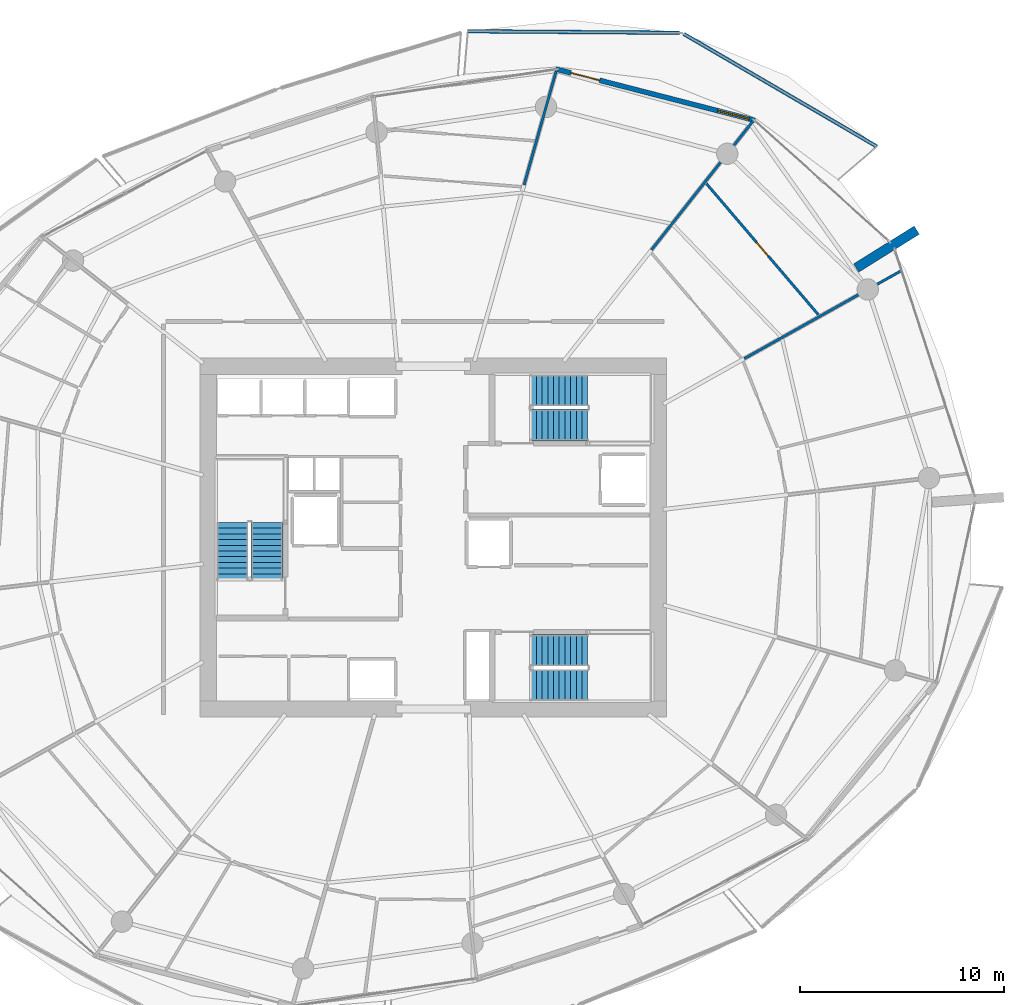
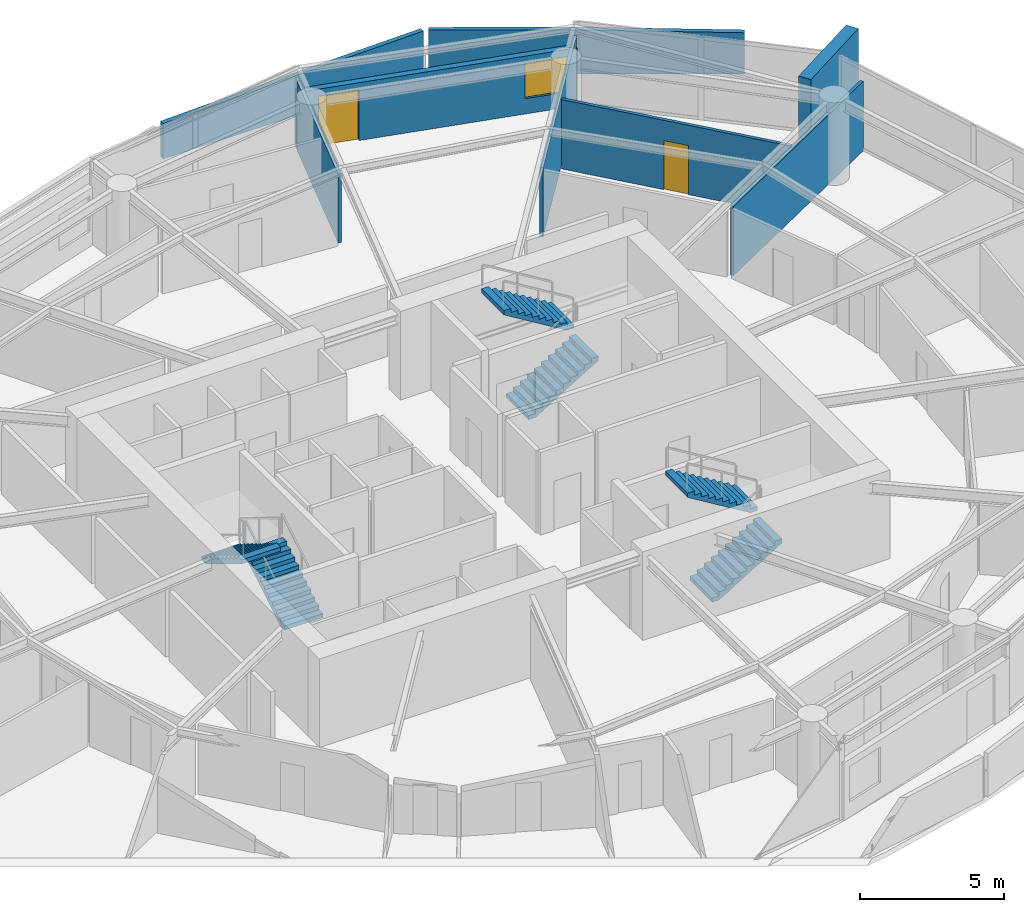
# One storey, part 15 of 20: 8 walls, 6 stair flights, 2 doors, 1 window, 3 openings, 3 elements without a shape of their own.
"""IFC4 building model written with IfcOpenShell, lengths in metres."""

from ifc_helpers import new_model, si_unit, direction, frame, frame_2d, origin, place, context, subcontext, project, spatial, polyline, rectangle, outline, extrude, material, layer, layer_set, type_object, element, fill, aggregate, save


model = new_model("IFC4")

# Units and contexts
model_context = context("Model", 3, precision=1e-05, world=origin(), true_north=direction((0.0, 1.0)))
body_context = subcontext(model_context, "Body", "Model", "MODEL_VIEW")
ifc_project = project(units=[si_unit("LENGTHUNIT", "METRE"), si_unit("AREAUNIT", "SQUARE_METRE"), si_unit("VOLUMEUNIT", "CUBIC_METRE"), si_unit("PLANEANGLEUNIT", "RADIAN"), si_unit("MASSUNIT", "GRAM", prefix="KILO")], contexts=[model_context])

# Site, building, storey
site_placement = place(None, origin())
site = spatial("IfcSite", under=ifc_project, at=site_placement, CompositionType="ELEMENT")
building_placement = place(site_placement, origin())
building = spatial("IfcBuilding", under=site, at=building_placement, Name="Kazma Halo Residences", CompositionType="ELEMENT")
storey_placement = place(building_placement, frame((0.0, 0.0, 165.300048828125)))
storey = spatial("IfcBuildingStorey", under=building, at=storey_placement, Name="L41", CompositionType="ELEMENT", Elevation=165.300048828125)

# Walls
ifc_material_1 = material(Name="White Concrete C50/60 Balustrade", Category="concrete")
ifc_layer_1 = layer(ifc_material_1, 0.179931640625)
ifc_layer_set_1 = layer_set([ifc_layer_1], Name="White Concrete C50/60 Balustrade")
wall_type_1 = type_object("IfcWallType", Name="WL-BAL-WAVE-180", PredefinedType="PARAPET", material=ifc_layer_set_1)
wall_1_placement = place(storey_placement, frame((70.179931640625, 61.17919921875, 0.0), z_axis=(0.0, 0.0, 1.0), x_axis=(-0.863978518166, 0.503528668645, 0.0)))
element("IfcWall", 1, at=wall_1_placement, inside=storey, type_object=wall_type_1, Name="L41 white wave balustrade wall NE.1", PredefinedType="PARAPET", context=body_context, shape_type="SweptSolid", body=[
    extrude(outline(polyline([(0.0, 0.0), (10.952880859375, 0.0), (10.952880859375, 1.83203125), (5.4765625, 1.85302734375), (0.0, 1.755859375), (0.0, 0.0)])), frame((0.0, 0.08984375, 0.0), z_axis=(0.0, -1.0, 0.0), x_axis=(1.0, 0.0, 0.0)), (0.0, 0.0, 1.0), 0.179931640625),
])
wall_2_placement = place(storey_placement, frame((60.4931640625, 66.755615234375, 0.0), z_axis=(0.0, 0.0, 1.0), x_axis=(-0.999973451482, 0.007286723002, 0.0)))
element("IfcWall", 2, at=wall_2_placement, inside=storey, type_object=wall_type_1, Name="L41 white wave balustrade wall NE.2", PredefinedType="PARAPET", context=body_context, shape_type="SweptSolid", body=[
    extrude(outline(polyline([(0.0, 0.0), (10.386474609375, 0.0), (10.386474609375, 1.4970703125), (5.193115234375, 1.696044921875), (0.0, 1.83203125), (0.0, 0.0)])), frame((0.0, 0.08984375, 0.0), z_axis=(0.0, -1.0, 0.0), x_axis=(1.0, 0.0, 0.0)), (0.0, 0.0, 1.0), 0.179931640625),
])
ifc_material_2 = material(Name="Pale Concrete C60/75", Category="concrete")
ifc_layer_2 = layer(ifc_material_2, 0.47998046875)
ifc_layer_set_2 = layer_set([ifc_layer_2], Name="Pale Concrete C60/75")
wall_type_2 = type_object("IfcWallType", Name="WL-BLADE-480", PredefinedType="SOLIDWALL", material=ifc_layer_set_2)
wall_3_placement = place(storey_placement, frame((69.165283203125, 55.2255859375, 0.0), z_axis=(0.0, 0.0, 1.0), x_axis=(0.848053161125, 0.529911158502, 0.0)))
element("IfcWall", 3, at=wall_3_placement, inside=storey, type_object=wall_type_2, Name="L41 pale concrete structural blade fin wall BW-01", PredefinedType="SOLIDWALL", context=body_context, shape_type="SweptSolid", body=[
    extrude(rectangle(XDim=3.5, YDim=0.47998046875, at=frame_2d((1.75, 0.0))), origin(), (0.0, 0.0, 1.0), 3.75),
])

# Wall, openings, door, window
ifc_material_3 = material(Name="Insulated Pale-Metal Composite Wall")
ifc_layer_3 = layer(ifc_material_3, 0.239990234375)
ifc_layer_set_3 = layer_set([ifc_layer_3], Name="Insulated Pale-Metal Composite Wall")
wall_type_3 = type_object("IfcWallType", Name="WL-EXT-HOST-240", PredefinedType="SOLIDWALL", material=ifc_layer_set_3)
wall_4_placement = place(storey_placement, frame((64.192138671875, 62.4658203125, 0.0), z_axis=(0.0, 0.0, 1.0), x_axis=(-0.968379685126, 0.249481032214, 0.0)))
wall_4 = element("IfcWall", 4, at=wall_4_placement, inside=storey, type_object=wall_type_3, Name="L41 exterior terrace-access wall B02", PredefinedType="SOLIDWALL", context=body_context, shape_type="SweptSolid", body=[
    extrude(rectangle(XDim=10.08154296875, YDim=0.239990234375, at=frame_2d((5.040771484375, 0.0))), origin(), (0.0, 0.0, 1.0), 2.449951171875),
])
opening_1_placement = place(wall_4_placement, frame((7.861572265625, 0.0, 0.0)))
opening_1 = element("IfcOpeningElement", 5, at=opening_1_placement, cuts=wall_4, Name="Opening DTR-1600", PredefinedType="OPENING", context=body_context, shape_type="SweptSolid", body=[
    extrude(rectangle(XDim=1.449951171875, YDim=2.14990234375, at=frame_2d((0.72509765625, 1.074951171875))), frame((0.0, 0.1298828125, 0.0), z_axis=(0.0, -1.0, 0.0), x_axis=(1.0, 0.0, 0.0)), (0.0, 0.0, 1.0), 0.260009765625),
])
opening_2_placement = place(wall_4_placement, frame((0.280029296875, 0.0, 0.64990234375)))
opening_2 = element("IfcOpeningElement", 6, at=opening_2_placement, cuts=wall_4, Name="Opening W-1800", PredefinedType="OPENING", context=body_context, shape_type="SweptSolid", body=[
    extrude(rectangle(XDim=1.60009765625, YDim=1.5, at=frame_2d((0.800048828125, 0.75))), frame((0.0, 0.1298828125, 0.0), z_axis=(0.0, -1.0, 0.0), x_axis=(1.0, 0.0, 0.0)), (0.0, 0.0, 1.0), 0.260009765625),
])
ifc_material_4 = material(Name="Aluminium AW-6063 T6 Double-Glazed Terrace Door", Category="aluminium")
door_type_1 = type_object("IfcDoorType", Name="DR-EXT-TERR-1600", OperationType="NOTDEFINED", PredefinedType="DOOR", material=ifc_material_4)
door_1_placement = place(opening_1_placement, origin())
door_1 = element("IfcDoor", 7, at=door_1_placement, inside=storey, type_object=door_type_1, Name="L41 B02 balcony terrace door", OperationType="DOUBLE_DOOR_SLIDING", OverallHeight=2.14990234375, OverallWidth=1.449951171875, PredefinedType="DOOR", context=body_context, shape_type="SweptSolid", body=[
    extrude(rectangle(XDim=1.449951171875, YDim=2.14990234375, at=frame_2d((0.72509765625, 1.074951171875))), frame((0.0, 0.02490234375, 0.0), z_axis=(0.0, -1.0, 0.0), x_axis=(1.0, 0.0, 0.0)), (0.0, 0.0, 1.0), 0.050048828125),
])
fill(opening_1, door_1)
ifc_material_5 = material(Name="Clear Triple-Silver Low-E Glass in Aluminium AW-6063 T6 Frame", Category="aluminium")
window_type = type_object("IfcWindowType", Name="WIN-RES-1800", PartitioningType="DOUBLE_PANEL_VERTICAL", PredefinedType="WINDOW", material=ifc_material_5)
window_placement = place(opening_2_placement, origin())
window = element("IfcWindow", 8, at=window_placement, inside=storey, type_object=window_type, Name="L41 B02 apartment window", OverallHeight=1.5, OverallWidth=1.60009765625, PartitioningType="SINGLE_PANEL", PredefinedType="WINDOW", context=body_context, shape_type="SweptSolid", body=[
    extrude(rectangle(XDim=1.60009765625, YDim=1.5, at=frame_2d((0.800048828125, 0.75))), frame((0.0, 0.030029296875, 0.0), z_axis=(0.0, -1.0, 0.0), x_axis=(1.0, 0.0, 0.0)), (0.0, 0.0, 1.0), 0.06005859375),
])
fill(opening_2, window)

# Walls
ifc_material_6 = material(Name="Gypsum Plasterboard Partition")
ifc_layer_4 = layer(ifc_material_6, 0.125)
ifc_layer_set_4 = layer_set([ifc_layer_4], Name="Gypsum Plasterboard Partition")
wall_type_4 = type_object("IfcWallType", Name="WL-PART-125", PredefinedType="PARTITIONING", material=ifc_layer_set_4)
wall_5_placement = place(storey_placement, frame((63.6787109375, 50.780517578125, 0.0), z_axis=(0.0, 0.0, 1.0), x_axis=(0.872493265844, 0.488626136281, 0.0)))
element("IfcWall", 9, at=wall_5_placement, inside=storey, type_object=wall_type_4, Name="L41 Apartment 2 radial partition 0", PredefinedType="PARTITIONING", context=body_context, shape_type="SweptSolid", body=[
    extrude(rectangle(XDim=8.816162109375, YDim=0.125, at=frame_2d((4.408203125, 0.0))), origin(), (0.0, 0.0, 1.0), 2.93994140625),
])
wall_6_placement = place(storey_placement, frame((59.125, 56.112060546875, 0.0), z_axis=(0.0, 0.0, 1.0), x_axis=(0.61910151414, 0.78531096719, 0.0)))
element("IfcWall", 10, at=wall_6_placement, inside=storey, type_object=wall_type_4, Name="L41 Apartment 2 living radial partition 0", PredefinedType="PARTITIONING", context=body_context, shape_type="SweptSolid", body=[
    extrude(rectangle(XDim=8.081787109375, YDim=0.125, at=frame_2d((4.041015625, 0.0))), origin(), (0.0, 0.0, 1.0), 2.93994140625),
])

# Wall, opening, door
wall_7_placement = place(storey_placement, frame((67.305908203125, 52.935302734375, 0.0), z_axis=(0.0, 0.0, 1.0), x_axis=(-0.649454860638, 0.760400147287, 0.0)))
wall_7 = element("IfcWall", 11, at=wall_7_placement, inside=storey, type_object=wall_type_4, Name="L41 Apartment 2 Primary Master Bedroom divider wall", PredefinedType="PARTITIONING", context=body_context, shape_type="SweptSolid", body=[
    extrude(rectangle(XDim=8.44580078125, YDim=0.125, at=frame_2d((4.222900390625, 0.0))), origin(), (0.0, 0.0, 1.0), 2.93994140625),
])
opening_3_placement = place(wall_7_placement, frame((3.772705078125, 0.0, 0.0)))
opening_3 = element("IfcOpeningElement", 12, at=opening_3_placement, cuts=wall_7, Name="Opening DI-950", PredefinedType="OPENING", context=body_context, shape_type="SweptSolid", body=[
    extrude(rectangle(XDim=0.89990234375, YDim=2.080078125, at=frame_2d((0.449951171875, 1.0400390625))), frame((0.0, 0.072509765625, 0.0), z_axis=(0.0, -1.0, 0.0), x_axis=(1.0, 0.0, 0.0)), (0.0, 0.0, 1.0), 0.14501953125),
])
ifc_material_7 = material(Name="Timber Veneer Flush Leaf", Category="wood")
door_type_2 = type_object("IfcDoorType", Name="DR-INT-950", OperationType="NOTDEFINED", PredefinedType="DOOR", material=ifc_material_7)
door_2_placement = place(opening_3_placement, origin())
door_2 = element("IfcDoor", 13, at=door_2_placement, inside=storey, type_object=door_type_2, Name="L41 Apartment 2 Primary Master Bedroom door", OperationType="SINGLE_SWING_LEFT", OverallHeight=2.080078125, OverallWidth=0.89990234375, PredefinedType="DOOR", context=body_context, shape_type="SweptSolid", body=[
    extrude(rectangle(XDim=0.89990234375, YDim=2.080078125, at=frame_2d((0.449951171875, 1.0400390625))), frame((0.0, 0.02490234375, 0.0), z_axis=(0.0, -1.0, 0.0), x_axis=(1.0, 0.0, 0.0)), (0.0, 0.0, 1.0), 0.050048828125),
])
fill(opening_3, door_2)

# Wall
wall_8_placement = place(storey_placement, frame((52.877685546875, 59.29541015625, 0.0), z_axis=(0.0, 0.0, 1.0), x_axis=(0.271461170106, 0.962449392501, 0.0)))
element("IfcWall", 14, at=wall_8_placement, inside=storey, type_object=wall_type_4, Name="L41 Apartment 2 radial partition 2", PredefinedType="PARTITIONING", context=body_context, shape_type="SweptSolid", body=[
    extrude(rectangle(XDim=5.769287109375, YDim=0.125, at=frame_2d((2.884765625, 0.0))), origin(), (0.0, 0.0, 1.0), 2.93994140625),
])

# Stair, stair flights
ifc_material_8 = material(Name="Concrete C50/60", Category="concrete")
stair_type = type_object("IfcStairType", Name="STR-RES1", PredefinedType="HALF_TURN_STAIR", material=ifc_material_8)
stair_1_placement = place(storey_placement, origin())
stair_1 = element("IfcStair", 15, at=stair_1_placement, inside=storey, type_object=stair_type, Name="L41 Core exit stair ST-01", PredefinedType="HALF_TURN_STAIR")
stair_flight_type = type_object("IfcStairFlightType", Name="STR-RES1-FLT", PredefinedType="STRAIGHT", material=ifc_material_8)
stair_flight_1_placement = place(storey_placement, frame((40.27490234375, 39.949951171875, 0.0), z_axis=(0.0, 0.0, 1.0), x_axis=(0.0, 1.0, 0.0)))
stair_flight_1 = element("IfcStairFlight", 16, at=stair_flight_1_placement, type_object=stair_flight_type, Name="ST-01 flight 1", NumberOfRisers=11, NumberOfTreads=10, PredefinedType="STRAIGHT", RiserHeight=0.170454545, TreadLength=0.28, context=body_context, shape_type="SweptSolid", body=[
    extrude(outline(polyline([(0.0, 0.0), (0.0, 0.17041015625), (0.280029296875, 0.17041015625), (0.280029296875, 0.3408203125), (0.56005859375, 0.3408203125), (0.56005859375, 0.511474609375), (0.840087890625, 0.511474609375), (0.840087890625, 0.681884765625), (1.1201171875, 0.681884765625), (1.1201171875, 0.852294921875), (1.39990234375, 0.852294921875), (1.39990234375, 1.022705078125), (1.679931640625, 1.022705078125), (1.679931640625, 1.193115234375), (1.9599609375, 1.193115234375), (1.9599609375, 1.363525390625), (2.239990234375, 1.363525390625), (2.239990234375, 1.5341796875), (2.52001953125, 1.5341796875), (2.52001953125, 1.70458984375), (2.800048828125, 1.70458984375), (2.800048828125, 1.875), (2.800048828125, 1.529052734375), (0.288330078125, 0.0), (0.0, 0.0)])), frame((0.0, 0.77490234375, 0.0), z_axis=(0.0, -1.0, 0.0), x_axis=(1.0, 0.0, 0.0)), (0.0, 0.0, 1.0), 1.550048828125),
])
stair_flight_2_placement = place(storey_placement, frame((38.574951171875, 42.75, 1.875), z_axis=(0.0, 0.0, 1.0), x_axis=(0.0, -1.0, 0.0)))
stair_flight_2 = element("IfcStairFlight", 17, at=stair_flight_2_placement, type_object=stair_flight_type, Name="ST-01 flight 2", NumberOfRisers=11, NumberOfTreads=10, PredefinedType="STRAIGHT", RiserHeight=0.170454545, TreadLength=0.28, context=body_context, shape_type="SweptSolid", body=[
    extrude(outline(polyline([(0.0, 0.0), (0.0, 0.17041015625), (0.280029296875, 0.17041015625), (0.280029296875, 0.3408203125), (0.56005859375, 0.3408203125), (0.56005859375, 0.511474609375), (0.840087890625, 0.511474609375), (0.840087890625, 0.681884765625), (1.1201171875, 0.681884765625), (1.1201171875, 0.852294921875), (1.39990234375, 0.852294921875), (1.39990234375, 1.022705078125), (1.679931640625, 1.022705078125), (1.679931640625, 1.193115234375), (1.9599609375, 1.193115234375), (1.9599609375, 1.363525390625), (2.239990234375, 1.363525390625), (2.239990234375, 1.5341796875), (2.52001953125, 1.5341796875), (2.52001953125, 1.70458984375), (2.800048828125, 1.70458984375), (2.800048828125, 1.875), (2.800048828125, 1.529052734375), (0.288330078125, 0.0), (0.0, 0.0)])), frame((0.0, 0.77490234375, 0.0), z_axis=(0.0, -1.0, 0.0), x_axis=(1.0, 0.0, 0.0)), (0.0, 0.0, 1.0), 1.550048828125),
])
aggregate(stair_1, [stair_flight_1, stair_flight_2])

stair_2_placement = place(storey_placement, origin())
stair_2 = element("IfcStair", 18, at=stair_2_placement, inside=storey, type_object=stair_type, Name="L41 Core exit stair ST-02", PredefinedType="HALF_TURN_STAIR")
stair_flight_3_placement = place(storey_placement, frame((53.199951171875, 47.52490234375, 0.0), z_axis=(0.0, 0.0, 1.0), x_axis=(1.0, 0.0, 0.0)))
stair_flight_3 = element("IfcStairFlight", 19, at=stair_flight_3_placement, type_object=stair_flight_type, Name="ST-02 flight 1", NumberOfRisers=11, NumberOfTreads=10, PredefinedType="STRAIGHT", RiserHeight=0.170454545, TreadLength=0.28, context=body_context, shape_type="SweptSolid", body=[
    extrude(outline(polyline([(0.0, 0.0), (0.0, 0.17041015625), (0.280029296875, 0.17041015625), (0.280029296875, 0.3408203125), (0.56005859375, 0.3408203125), (0.56005859375, 0.511474609375), (0.840087890625, 0.511474609375), (0.840087890625, 0.681884765625), (1.1201171875, 0.681884765625), (1.1201171875, 0.852294921875), (1.39990234375, 0.852294921875), (1.39990234375, 1.022705078125), (1.679931640625, 1.022705078125), (1.679931640625, 1.193115234375), (1.9599609375, 1.193115234375), (1.9599609375, 1.363525390625), (2.239990234375, 1.363525390625), (2.239990234375, 1.5341796875), (2.52001953125, 1.5341796875), (2.52001953125, 1.70458984375), (2.800048828125, 1.70458984375), (2.800048828125, 1.875), (2.800048828125, 1.529052734375), (0.288330078125, 0.0), (0.0, 0.0)])), frame((0.0, 0.77490234375, 0.0), z_axis=(0.0, -1.0, 0.0), x_axis=(1.0, 0.0, 0.0)), (0.0, 0.0, 1.0), 1.550048828125),
])
stair_flight_4_placement = place(storey_placement, frame((56.0, 49.22509765625, 1.875), z_axis=(0.0, 0.0, 1.0), x_axis=(-1.0, 0.0, 0.0)))
stair_flight_4 = element("IfcStairFlight", 20, at=stair_flight_4_placement, type_object=stair_flight_type, Name="ST-02 flight 2", NumberOfRisers=11, NumberOfTreads=10, PredefinedType="STRAIGHT", RiserHeight=0.170454545, TreadLength=0.28, context=body_context, shape_type="SweptSolid", body=[
    extrude(outline(polyline([(0.0, 0.0), (0.0, 0.17041015625), (0.280029296875, 0.17041015625), (0.280029296875, 0.3408203125), (0.56005859375, 0.3408203125), (0.56005859375, 0.511474609375), (0.840087890625, 0.511474609375), (0.840087890625, 0.681884765625), (1.1201171875, 0.681884765625), (1.1201171875, 0.852294921875), (1.39990234375, 0.852294921875), (1.39990234375, 1.022705078125), (1.679931640625, 1.022705078125), (1.679931640625, 1.193115234375), (1.9599609375, 1.193115234375), (1.9599609375, 1.363525390625), (2.239990234375, 1.363525390625), (2.239990234375, 1.5341796875), (2.52001953125, 1.5341796875), (2.52001953125, 1.70458984375), (2.800048828125, 1.70458984375), (2.800048828125, 1.875), (2.800048828125, 1.529052734375), (0.288330078125, 0.0), (0.0, 0.0)])), frame((0.0, 0.77490234375, 0.0), z_axis=(0.0, -1.0, 0.0), x_axis=(1.0, 0.0, 0.0)), (0.0, 0.0, 1.0), 1.550048828125),
])
aggregate(stair_2, [stair_flight_3, stair_flight_4])

stair_3_placement = place(storey_placement, origin())
stair_3 = element("IfcStair", 21, at=stair_3_placement, inside=storey, type_object=stair_type, Name="L41 Core exit stair ST-03", PredefinedType="HALF_TURN_STAIR")
stair_flight_5_placement = place(storey_placement, frame((53.199951171875, 34.77490234375, 0.0), z_axis=(0.0, 0.0, 1.0), x_axis=(1.0, 0.0, 0.0)))
stair_flight_5 = element("IfcStairFlight", 22, at=stair_flight_5_placement, type_object=stair_flight_type, Name="ST-03 flight 1", NumberOfRisers=11, NumberOfTreads=10, PredefinedType="STRAIGHT", RiserHeight=0.170454545, TreadLength=0.28, context=body_context, shape_type="SweptSolid", body=[
    extrude(outline(polyline([(0.0, 0.0), (0.0, 0.17041015625), (0.280029296875, 0.17041015625), (0.280029296875, 0.3408203125), (0.56005859375, 0.3408203125), (0.56005859375, 0.511474609375), (0.840087890625, 0.511474609375), (0.840087890625, 0.681884765625), (1.1201171875, 0.681884765625), (1.1201171875, 0.852294921875), (1.39990234375, 0.852294921875), (1.39990234375, 1.022705078125), (1.679931640625, 1.022705078125), (1.679931640625, 1.193115234375), (1.9599609375, 1.193115234375), (1.9599609375, 1.363525390625), (2.239990234375, 1.363525390625), (2.239990234375, 1.5341796875), (2.52001953125, 1.5341796875), (2.52001953125, 1.70458984375), (2.800048828125, 1.70458984375), (2.800048828125, 1.875), (2.800048828125, 1.529052734375), (0.288330078125, 0.0), (0.0, 0.0)])), frame((0.0, 0.77490234375, 0.0), z_axis=(0.0, -1.0, 0.0), x_axis=(1.0, 0.0, 0.0)), (0.0, 0.0, 1.0), 1.550048828125),
])
stair_flight_6_placement = place(storey_placement, frame((56.0, 36.47509765625, 1.875), z_axis=(0.0, 0.0, 1.0), x_axis=(-1.0, 0.0, 0.0)))
stair_flight_6 = element("IfcStairFlight", 23, at=stair_flight_6_placement, type_object=stair_flight_type, Name="ST-03 flight 2", NumberOfRisers=11, NumberOfTreads=10, PredefinedType="STRAIGHT", RiserHeight=0.170454545, TreadLength=0.28, context=body_context, shape_type="SweptSolid", body=[
    extrude(outline(polyline([(0.0, 0.0), (0.0, 0.17041015625), (0.280029296875, 0.17041015625), (0.280029296875, 0.3408203125), (0.56005859375, 0.3408203125), (0.56005859375, 0.511474609375), (0.840087890625, 0.511474609375), (0.840087890625, 0.681884765625), (1.1201171875, 0.681884765625), (1.1201171875, 0.852294921875), (1.39990234375, 0.852294921875), (1.39990234375, 1.022705078125), (1.679931640625, 1.022705078125), (1.679931640625, 1.193115234375), (1.9599609375, 1.193115234375), (1.9599609375, 1.363525390625), (2.239990234375, 1.363525390625), (2.239990234375, 1.5341796875), (2.52001953125, 1.5341796875), (2.52001953125, 1.70458984375), (2.800048828125, 1.70458984375), (2.800048828125, 1.875), (2.800048828125, 1.529052734375), (0.288330078125, 0.0), (0.0, 0.0)])), frame((0.0, 0.77490234375, 0.0), z_axis=(0.0, -1.0, 0.0), x_axis=(1.0, 0.0, 0.0)), (0.0, 0.0, 1.0), 1.550048828125),
])
aggregate(stair_3, [stair_flight_5, stair_flight_6])

save(model, "model.ifc")
